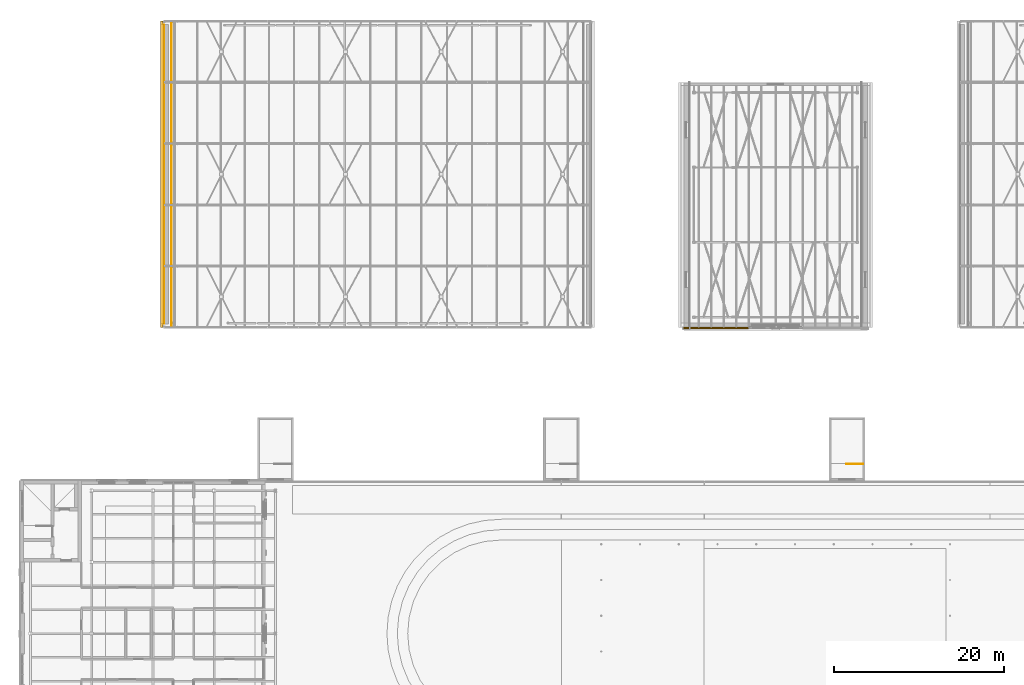
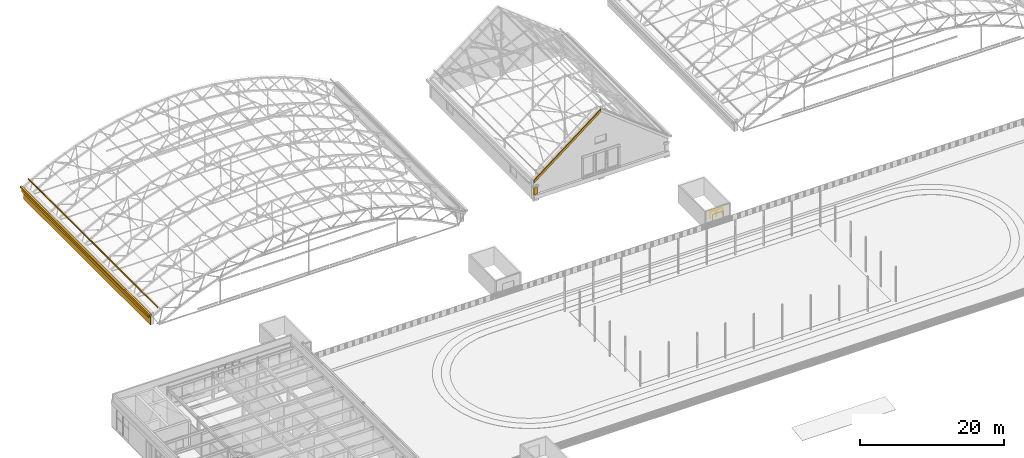
# One storey, part 123 of 127: 6 coverings, 1 railing.
"""IFC4 building model written with IfcOpenShell, lengths in metres."""

from ifc_helpers import new_model, si_unit, direction, frame, origin, origin_2d, place, context, subcontext, project, spatial, polyline, rectangle, circle, outline, extrude, material, layer, layer_set, type_object, element, save


model = new_model("IFC4")

# Units and contexts
model_context = context("Model", 3, precision=1e-05, world=origin(), true_north=direction((0.0, 1.0)))
body_context = subcontext(model_context, "Body", "Model", "MODEL_VIEW")
ifc_project = project(units=[si_unit("LENGTHUNIT", "METRE"), si_unit("AREAUNIT", "SQUARE_METRE"), si_unit("VOLUMEUNIT", "CUBIC_METRE"), si_unit("PLANEANGLEUNIT", "RADIAN"), si_unit("MASSUNIT", "GRAM", prefix="KILO")], contexts=[model_context])

# Site, building, storey
site_placement = place(None, origin())
site = spatial("IfcSite", under=ifc_project, at=site_placement, CompositionType="ELEMENT")
building_placement = place(site_placement, origin())
building = spatial("IfcBuilding", under=site, at=building_placement, Name="Verrick Yard Athletic Hall", CompositionType="ELEMENT")
storey_placement = place(building_placement, frame((0.0, 0.0, 14.0)))
storey = spatial("IfcBuildingStorey", under=building, at=storey_placement, Name="L03", CompositionType="ELEMENT", Elevation=14.0)

# Coverings
ifc_material_1 = material(Name="Heat-traced aluminium gutter", Category="aluminium")
ifc_layer_1 = layer(ifc_material_1, 0.050048828125)
ifc_layer_set_1 = layer_set([ifc_layer_1], Name="Roof gutter")
covering_type_1 = type_object("IfcCoveringType", Name="Roof gutter", PredefinedType="MOLDING", material=ifc_layer_set_1)
covering_1_placement = place(storey_placement, frame((26.64990234375, 90.0, 1.79736328125), z_axis=(0.0, 0.0, 1.0), x_axis=(1.0, 0.0, 0.0)))
element("IfcCovering", 1, at=covering_1_placement, inside=storey, type_object=covering_type_1, Name="Heated eaves gutter BW", PredefinedType="MOLDING", context=body_context, shape_type="SweptSolid", body=[
    extrude(rectangle(XDim=0.300048828125, YDim=36.0, at=origin_2d()), origin(), (0.0, 0.0, 1.0), 0.300048828125),
])
ifc_material_2 = material(Name="Anodised aluminium", Category="aluminium")
ifc_layer_2 = layer(ifc_material_2, 0.0625)
ifc_layer_set_2 = layer_set([ifc_layer_2], Name="Snow guard")
covering_type_2 = type_object("IfcCoveringType", Name="Snow guard", PredefinedType="MOLDING", material=ifc_layer_set_2)
covering_2_placement = place(storey_placement, frame((27.800048828125, 72.0, 2.7548828125), z_axis=(0.0, 0.0, 1.0), x_axis=(0.0, 1.0, 0.0)))
element("IfcCovering", 2, at=covering_2_placement, inside=storey, type_object=covering_type_2, Name="Snow guard BW", PredefinedType="MOLDING", context=body_context, shape_type="SweptSolid", body=[
    extrude(outline(polyline([(0.0, 0.0), (36.0, 0.0), (36.0, 0.25), (0.0, 0.25), (0.0, 0.0)])), frame((0.0, 0.03125, 0.0), z_axis=(0.0, -1.0, 0.0), x_axis=(1.0, 0.0, 0.0)), (0.0, 0.0, 1.0), 0.0625),
])

# Railing
ifc_material_3 = material(Name="Stainless steel", Category="steel")
railing_type = type_object("IfcRailingType", Name="Stair and core guard 1100", PredefinedType="GUARDRAIL", material=ifc_material_3)
railing_placement = place(storey_placement, frame((109.10009765625, 55.949951171875, 0.0)))
element("IfcRailing", 3, at=railing_placement, inside=storey, type_object=railing_type, Name="L03 North deck escape 2 top well guard 1", PredefinedType="GUARDRAIL", context=body_context, shape_type="SweptSolid", body=[
    extrude(circle(Radius=0.02392578125, at=origin_2d()), frame((0.0, 0.0, 1.076171875), z_axis=(-1.0, 0.0, 0.0), x_axis=(0.0, -1.0, 0.0)), (0.0, 0.0, 1.0), 2.0),
    extrude(circle(Radius=0.02099609375, at=origin_2d()), origin(), (0.0, 0.0, 1.0), 1.052001953125),
    extrude(circle(Radius=0.02099609375, at=origin_2d()), frame((-1.0, 0.0, 0.0)), (0.0, 0.0, 1.0), 1.052001953125),
    extrude(circle(Radius=0.02099609375, at=origin_2d()), frame((-2.0, 0.0, 0.0)), (0.0, 0.0, 1.0), 1.052001953125),
])

# Coverings
ifc_material_4 = material(Name="Tyndall-stone-look precast cladding", Category="masonry")
ifc_layer_3 = layer(ifc_material_4, 0.125)
ifc_layer_set_3 = layer_set([ifc_layer_3], Name="Stone cladding")
covering_type_3 = type_object("IfcCoveringType", Name="Stone cladding", PredefinedType="CLADDING", material=ifc_layer_set_3)
covering_3_placement = place(storey_placement, frame((26.887451171875, 90.0, 0.0), z_axis=(0.0, 0.0, 1.0), x_axis=(1.0, 0.0, 0.0)))
element("IfcCovering", 4, at=covering_3_placement, inside=storey, type_object=covering_type_3, Name="Frieze band BW", PredefinedType="CLADDING", context=body_context, shape_type="SweptSolid", body=[
    extrude(rectangle(XDim=0.074951171875, YDim=35.163330078125, at=origin_2d()), origin(), (0.0, 0.0, 1.0), 2.0),
])
covering_4_placement = place(storey_placement, frame((88.0, 71.925048828125, 2.9375), z_axis=(0.0, 0.0, 1.0), x_axis=(1.0, 0.0, 0.0)))
element("IfcCovering", 5, at=covering_4_placement, inside=storey, type_object=covering_type_3, Name="ENVB-CL-S-PED-W", PredefinedType="CLADDING", context=body_context, shape_type="SweptSolid", body=[
    extrude(outline(polyline([(0.0, 0.0), (10.800048828125, 8.39990234375), (10.800048828125, 8.849853515625), (0.0, 0.449951171875), (0.0, 0.0)])), frame((0.0, 0.074951171875, 0.0), z_axis=(0.0, -1.0, 0.0), x_axis=(1.0, 0.0, 0.0)), (0.0, 0.0, 1.0), 0.14990234375),
])
covering_5_placement = place(storey_placement, frame((88.300048828125, 71.925048828125, 1.0), z_axis=(0.0, 0.0, 1.0), x_axis=(1.0, 0.0, 0.0)))
element("IfcCovering", 6, at=covering_5_placement, inside=storey, type_object=covering_type_3, Name="Gable pilaster", PredefinedType="CLADDING", context=body_context, shape_type="SweptSolid", body=[
    extrude(rectangle(XDim=0.60009765625, YDim=0.14990234375, at=origin_2d()), origin(), (0.0, 0.0, 1.0), 1.199951171875),
])
ifc_layer_4 = layer(ifc_material_4, 0.25)
ifc_layer_set_4 = layer_set([ifc_layer_4], Name="Stone moulding")
covering_type_4 = type_object("IfcCoveringType", Name="Stone moulding", PredefinedType="MOLDING", material=ifc_layer_set_4)
covering_6_placement = place(storey_placement, frame((26.71240234375, 90.0, 1.39990234375), z_axis=(0.0, 0.0, 1.0), x_axis=(1.0, 0.0, 0.0)))
element("IfcCovering", 7, at=covering_6_placement, inside=storey, type_object=covering_type_4, Name="Cornice BW", PredefinedType="MOLDING", context=body_context, shape_type="SweptSolid", body=[
    extrude(rectangle(XDim=0.425048828125, YDim=35.163330078125, at=origin_2d()), origin(), (0.0, 0.0, 1.0), 0.60009765625),
])

save(model, "model.ifc")
